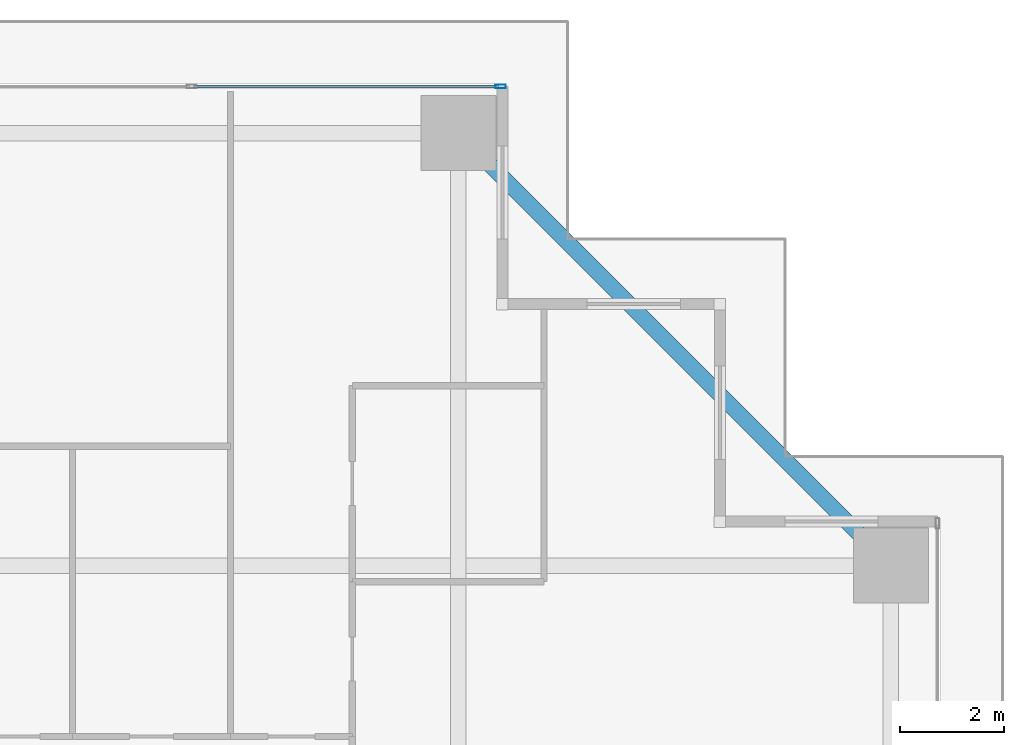
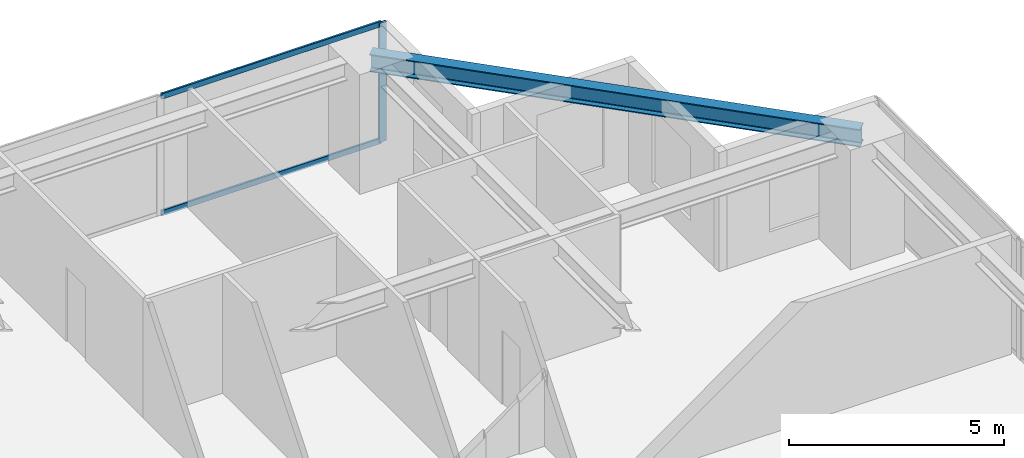
# One storey, part 25 of 40: 3 members, 1 beam, 1 element without a shape of its own.
"""IFC4 building model written with IfcOpenShell, lengths in metres."""

import ifcopenshell
import ifcopenshell.guid

model = None  # the IFC model being written
_history = None  # IfcOwnerHistory: only IFC2X3 demands one
_inside = {}  # id of a spatial element -> (the spatial element, [elements in it])
_under = {}  # id of a project, library or spatial element -> (it, [spatial elements below it])
_declared = {}  # id of a project -> (the project, [libraries it declares])
_typed = {}  # id of a type object -> (the type object, [elements of that type])
_made_of = {}  # id of a material, layer set ... -> (it, [elements and type objects made of it])


def new_model(schema):
    """Start an empty IFC model of exactly this schema.

    Asked for "IFC4X3", IfcOpenShell would pick the latest addendum, in which some entities
    have other attributes; the version numbers below select the first issue.
    IFC2X3 requires an IfcOwnerHistory on every rooted entity: one is made here for all.
    """
    global model, _history
    if schema == "IFC4X3":
        model = ifcopenshell.file(schema_version=(4, 3, 0, 0))
    else:
        model = ifcopenshell.file(schema=schema)
    _inside.clear()
    _under.clear()
    _declared.clear()
    _typed.clear()
    _made_of.clear()
    _history = None
    if model.schema == "IFC2X3":
        org = make("IfcOrganization", Name="unknown")
        user = make(
            "IfcPersonAndOrganization",
            ThePerson=make("IfcPerson", FamilyName="unknown"),
            TheOrganization=org,
        )
        app = make(
            "IfcApplication",
            ApplicationDeveloper=org,
            Version="unknown",
            ApplicationFullName="unknown",
            ApplicationIdentifier="unknown",
        )
        _history = make(
            "IfcOwnerHistory",
            OwningUser=user,
            OwningApplication=app,
            ChangeAction="ADDED",
            CreationDate=0,
        )
    return model


def make(cls, **values):
    """One entity of the class cls with the attributes given. An attribute that is None is left unset."""
    return model.create_entity(
        cls, **{name: value for name, value in values.items() if value is not None}
    )


def rooted(cls, **values):
    """An entity with a GlobalId (a new one), such as an element, a storey or a relation."""
    return make(cls, GlobalId=ifcopenshell.guid.new(), OwnerHistory=_history, **values)


def si_unit(unit_type, name, prefix=None):
    """IfcSIUnit, for example si_unit("LENGTHUNIT", "METRE", prefix="MILLI")."""
    return make("IfcSIUnit", UnitType=unit_type, Prefix=prefix, Name=name)


def assignment(units):
    """IfcUnitAssignment: the units of a project."""
    return None if units is None else make("IfcUnitAssignment", Units=units)


def point(xyz):
    """IfcCartesianPoint."""
    return None if xyz is None else make("IfcCartesianPoint", Coordinates=xyz)


def direction(xyz):
    """IfcDirection."""
    return None if xyz is None else make("IfcDirection", DirectionRatios=xyz)


def frame(location, z_axis=None, x_axis=None):
    """IfcAxis2Placement3D, a coordinate frame: its origin and axes. An axis left out is left unset."""
    return make(
        "IfcAxis2Placement3D",
        Location=point(location),
        Axis=direction(z_axis),
        RefDirection=direction(x_axis),
    )


def frame_2d(location, x_axis=None):
    """IfcAxis2Placement2D, a coordinate frame in the plane: its origin and x axis."""
    return make(
        "IfcAxis2Placement2D", Location=point(location), RefDirection=direction(x_axis)
    )


def origin():
    """The frame at (0, 0, 0) with its axes left unset."""
    return frame((0.0, 0.0, 0.0))


def origin_2d():
    """The frame at (0, 0) in the plane with its x axis left unset."""
    return frame_2d((0.0, 0.0))


def place(relative_to, where):
    """IfcLocalPlacement: puts the frame where relative to a parent placement (None: the world)."""
    return make(
        "IfcLocalPlacement", PlacementRelTo=relative_to, RelativePlacement=where
    )


def context(
    kind, dimensions, precision=None, world=None, true_north=None, identifier=None
):
    """IfcGeometricRepresentationContext, for example the 3D "Model" context."""
    return make(
        "IfcGeometricRepresentationContext",
        ContextIdentifier=identifier,
        ContextType=kind,
        CoordinateSpaceDimension=dimensions,
        Precision=precision,
        WorldCoordinateSystem=world,
        TrueNorth=true_north,
    )


def subcontext(parent, identifier, kind, view, scale=None):
    """IfcGeometricRepresentationSubContext, for example "Body" below "Model"."""
    return make(
        "IfcGeometricRepresentationSubContext",
        ContextIdentifier=identifier,
        ContextType=kind,
        ParentContext=parent,
        TargetScale=scale,
        TargetView=view,
    )


def project(units=None, contexts=None):
    """IfcProject with its units and contexts."""
    return rooted(
        "IfcProject",
        Name="project",
        RepresentationContexts=contexts,
        UnitsInContext=assignment(units),
    )


def spatial(cls, under=None, at=None, **own):
    """A site, building, storey or space (cls), placed at a placement, below another one or the project."""
    s = rooted(cls, ObjectPlacement=at, **own)
    if under is not None:
        _under.setdefault(under.id(), (under, []))[1].append(s)
    return s


def profile(cls, at=None, kind="AREA", **sizes):
    """A parametric profile (cls). Its sizes go by their IFC names, for example OverallWidth=200.0."""
    return make(cls, ProfileType=kind, Position=at, **sizes)


def hollow_rectangle(**sizes):
    """IfcRectangleHollowProfileDef."""
    return profile("IfcRectangleHollowProfileDef", **sizes)


def i_section(**sizes):
    """IfcIShapeProfileDef."""
    return profile("IfcIShapeProfileDef", **sizes)


def extrude(swept, where, along, depth):
    """IfcExtrudedAreaSolid: the profile swept, set in the frame where, extruded along a direction by depth."""
    return make(
        "IfcExtrudedAreaSolid",
        SweptArea=swept,
        Position=where,
        ExtrudedDirection=direction(along),
        Depth=depth,
    )


def shape(context_of_items, identifier, shape_type, items):
    """IfcShapeRepresentation: the items that make up one representation, for example the "Body"."""
    return make(
        "IfcShapeRepresentation",
        ContextOfItems=context_of_items,
        RepresentationIdentifier=identifier,
        RepresentationType=shape_type,
        Items=items,
    )


def source(mapping_origin, context_of_items, identifier, shape_type, items):
    """IfcRepresentationMap: a shape defined once, which mapped items show again and again."""
    return make(
        "IfcRepresentationMap",
        MappingOrigin=mapping_origin,
        MappedRepresentation=shape(context_of_items, identifier, shape_type, items),
    )


def transform(
    local_origin,
    x_axis=None,
    y_axis=None,
    z_axis=None,
    scale=None,
    scale2=None,
    scale3=None,
    uniform=True,
):
    """IfcCartesianTransformationOperator3D, or its non-uniform kind. x_axis, y_axis, z_axis: its Axis1, 2, 3."""
    if uniform:
        return make(
            "IfcCartesianTransformationOperator3D",
            Axis1=direction(x_axis),
            Axis2=direction(y_axis),
            LocalOrigin=point(local_origin),
            Scale=scale,
            Axis3=direction(z_axis),
        )
    return make(
        "IfcCartesianTransformationOperator3DnonUniform",
        Axis1=direction(x_axis),
        Axis2=direction(y_axis),
        LocalOrigin=point(local_origin),
        Scale=scale,
        Axis3=direction(z_axis),
        Scale2=scale2,
        Scale3=scale3,
    )


def mapped(mapping_source, mapping_target):
    """IfcMappedItem: shows the shape of a source again, moved by a transform."""
    return make(
        "IfcMappedItem", MappingSource=mapping_source, MappingTarget=mapping_target
    )


def material(Name=None, Category=None):
    """IfcMaterial."""
    return make("IfcMaterial", Name=Name, Category=Category)


def layer(
    of_material, thickness, ventilated=None, Name=None, Category=None, Priority=None
):
    """IfcMaterialLayer: one layer of a wall or slab, of a material (None: an air gap)."""
    return make(
        "IfcMaterialLayer",
        Material=of_material,
        LayerThickness=thickness,
        IsVentilated=ventilated,
        Name=Name,
        Category=Category,
        Priority=Priority,
    )


def layer_set(layers, Name=None):
    """IfcMaterialLayerSet."""
    return make("IfcMaterialLayerSet", MaterialLayers=layers, LayerSetName=Name)


def material_profile(
    of_material, cross_section, Name=None, Category=None, Priority=None
):
    """IfcMaterialProfile: a cross section and its material."""
    return make(
        "IfcMaterialProfile",
        Name=Name,
        Material=of_material,
        Profile=cross_section,
        Priority=Priority,
        Category=Category,
    )


def profile_set(profiles, Name=None, composite=None):
    """IfcMaterialProfileSet."""
    return make(
        "IfcMaterialProfileSet",
        Name=Name,
        MaterialProfiles=profiles,
        CompositeProfile=composite,
    )


def made_of(thing, what):
    """Note that an element or type object is made of a material, layer set ...; save() writes the relation."""
    if what is not None:
        _made_of.setdefault(what.id(), (what, []))[1].append(thing)
    return thing


def type_object(cls, material=None, **own):
    """A type object (cls), such as IfcWallType, which elements share."""
    return made_of(rooted(cls, **own), material)


def element(
    cls,
    number,
    at=None,
    inside=None,
    cuts=None,
    type_object=None,
    material=None,
    context=None,
    identifier="Body",
    shape_type=None,
    held_by="IfcProductDefinitionShape",
    body=None,
    shapes=None,
    **own,
):
    """One element of the class cls, such as IfcWall. Its Tag is "e" and its number.

    at: its placement. inside: the storey or other place that contains it. cuts: it is an
    opening in that element (IfcRelVoidsElement). A single representation is given by context,
    identifier, shape_type and body (its items); several are given by shapes. held_by: the class
    of the entity that holds the representations. save() writes the other relations.
    """
    e = rooted(cls, Tag="e%d" % number, ObjectPlacement=at, **own)
    if body is not None:
        shapes = [shape(context, identifier, shape_type, body)]
    if shapes is not None:
        e.Representation = make(held_by, Representations=shapes)
    if inside is not None:
        _inside.setdefault(inside.id(), (inside, []))[1].append(e)
    if cuts is not None:
        rooted(
            "IfcRelVoidsElement", RelatingBuildingElement=cuts, RelatedOpeningElement=e
        )
    if type_object is not None:
        _typed.setdefault(type_object.id(), (type_object, []))[1].append(e)
    return made_of(e, material)


def aggregate(whole, parts):
    """IfcRelAggregates: a whole, such as a stair, and the parts it consists of."""
    return rooted("IfcRelAggregates", RelatingObject=whole, RelatedObjects=parts)


def save(model, path):
    """Write the relations noted so far, then the file.

    IfcRelAggregates (storeys below a building ...), IfcRelContainedInSpatialStructure (elements
    in a storey), IfcRelDefinesByType, IfcRelAssociatesMaterial and IfcRelDeclares: one each for
    every whole, place, type object, material and project.
    """
    for whole, parts in _under.values():
        aggregate(whole, parts)
    for where, things in _inside.values():
        rooted(
            "IfcRelContainedInSpatialStructure",
            RelatedElements=things,
            RelatingStructure=where,
        )
    for kind, things in _typed.values():
        rooted("IfcRelDefinesByType", RelatedObjects=things, RelatingType=kind)
    for what, things in _made_of.values():
        rooted("IfcRelAssociatesMaterial", RelatedObjects=things, RelatingMaterial=what)
    for by, libraries in _declared.values():
        rooted("IfcRelDeclares", RelatingContext=by, RelatedDefinitions=libraries)
    model.write(path)


model = new_model("IFC4")

# Units and contexts
model_context = context("Model", 3, precision=1e-05, world=origin(), true_north=direction((0.0, 1.0)))
body_context = subcontext(model_context, "Body", "Model", "MODEL_VIEW")
ifc_project = project(units=[si_unit("LENGTHUNIT", "METRE"), si_unit("AREAUNIT", "SQUARE_METRE"), si_unit("VOLUMEUNIT", "CUBIC_METRE"), si_unit("PLANEANGLEUNIT", "RADIAN"), si_unit("MASSUNIT", "GRAM", prefix="KILO")], contexts=[model_context])

# Site, building, storey
site_placement = place(None, origin())
site = spatial("IfcSite", under=ifc_project, at=site_placement, CompositionType="ELEMENT")
building_placement = place(site_placement, origin())
building = spatial("IfcBuilding", under=site, at=building_placement, Name="Serunith Strait Residences", CompositionType="ELEMENT")
storey_placement = place(building_placement, frame((0.0, 0.0, 105.449951171875)))
storey = spatial("IfcBuildingStorey", under=building, at=storey_placement, Name="L26", CompositionType="ELEMENT", Elevation=105.449951171875)

# Beam
ifc_material_1 = material(Name="Steel S355J2", Category="steel")
ifc_material_profile_1 = material_profile(ifc_material_1, i_section(OverallWidth=0.300048828125, OverallDepth=0.5, WebThickness=0.014404296875, FlangeThickness=0.028076171875, FilletRadius=0.027099609375, at=origin_2d()), Name="HEB 500")
ifc_profile_set_1 = profile_set([ifc_material_profile_1], Name="Steel S355J2")
beam_type = type_object("IfcBeamType", Name="BM-HEB500", PredefinedType="BEAM", material=ifc_profile_set_1)
shared_shape_1 = source(origin(), body_context, "Body", "SweptSolid", [
    extrude(i_section(OverallWidth=0.300048828125, OverallDepth=0.5, WebThickness=0.014404296875, FlangeThickness=0.028076171875, FilletRadius=0.027099609375, at=origin_2d()), origin(), (0.0, 0.0, 1.0), 11.80859375),
])
beam_placement = place(storey_placement, frame((57.89990234375, 40.949951171875, 3.136962890625), z_axis=(-0.707096443746, 0.707117118476, 0.0), x_axis=(-0.707117118476, -0.707096443746, 0.0)))
element("IfcBeam", 1, at=beam_placement, inside=storey, type_object=beam_type, Name="L26 Perimeter Ring Beam 08", PredefinedType="BEAM", context=body_context, shape_type="MappedRepresentation", body=[
    mapped(shared_shape_1, transform((0.0, 0.0, 0.0), scale=1.0)),
])

# Curtain wall, members
ifc_material_2 = material(Name="Pale-Champagne Anodised Aluminium", Category="aluminium")
ifc_layer = layer(ifc_material_2, 0.199951171875, Name="Pale-Champagne Anodised Aluminium")
ifc_layer_set = layer_set([ifc_layer], Name="Pale-Champagne Anodised Aluminium")
curtain_wall_type = type_object("IfcCurtainWallType", Name="CW-SYS1", PredefinedType="NOTDEFINED", material=ifc_layer_set)
curtain_wall_placement = place(storey_placement, origin())
curtain_wall = element("IfcCurtainWall", 2, at=curtain_wall_placement, inside=storey, type_object=curtain_wall_type, Name="L26 N Unitised Fritted Curtain Wall", PredefinedType="NOTDEFINED")
ifc_material_profile_2 = material_profile(ifc_material_2, hollow_rectangle(XDim=0.06005859375, YDim=0.159912109375, WallThickness=0.00341796875, InnerFilletRadius=0.00537109375, OuterFilletRadius=0.0087890625, at=origin_2d()), Name="ALU 160x60x3.5")
ifc_profile_set_2 = profile_set([ifc_material_profile_2], Name="Pale-Champagne Anodised Aluminium")
member_type_1 = type_object("IfcMemberType", Name="CW-SYS1-TRAN", PredefinedType="USERDEFINED", material=ifc_profile_set_2)
shared_shape_2 = source(origin(), body_context, "Body", "SweptSolid", [
    extrude(hollow_rectangle(XDim=0.06005859375, YDim=0.159912109375, WallThickness=0.00341796875, InnerFilletRadius=0.00537109375, OuterFilletRadius=0.0087890625, at=origin_2d()), origin(), (0.0, 0.0, 1.0), 5.89501953125),
])
member_1_placement = place(storey_placement, frame((50.330078125, 50.199951171875, 0.030029296875), z_axis=(-1.0, 0.0, 0.0), x_axis=(0.0, -1.0, 0.0)))
member_1 = element("IfcMember", 3, at=member_1_placement, type_object=member_type_1, Name="CW-1 transom 1.1", ObjectType="TRANSOM", PredefinedType="USERDEFINED", context=body_context, shape_type="MappedRepresentation", body=[
    mapped(shared_shape_2, transform((0.0, 0.0, 0.0), scale=1.0)),
])
member_2_placement = place(storey_placement, frame((50.330078125, 50.199951171875, 3.344970703125), z_axis=(-1.0, 0.0, 0.0), x_axis=(0.0, -1.0, 0.0)))
member_2 = element("IfcMember", 4, at=member_2_placement, type_object=member_type_1, Name="CW-1 transom 1.2", ObjectType="TRANSOM", PredefinedType="USERDEFINED", context=body_context, shape_type="MappedRepresentation", body=[
    mapped(shared_shape_2, transform((0.0, 0.0, 0.0), scale=1.0)),
])
ifc_material_profile_3 = material_profile(ifc_material_2, hollow_rectangle(XDim=0.070068359375, YDim=0.199951171875, WallThickness=0.00390625, InnerFilletRadius=0.006103515625, OuterFilletRadius=0.010009765625, at=origin_2d()), Name="ALU 200x70x4")
ifc_profile_set_3 = profile_set([ifc_material_profile_3], Name="Pale-Champagne Anodised Aluminium")
member_type_2 = type_object("IfcMemberType", Name="CW-SYS1-MULL", PredefinedType="MULLION", material=ifc_profile_set_3)
shared_shape_3 = source(origin(), body_context, "Body", "SweptSolid", [
    extrude(hollow_rectangle(XDim=0.070068359375, YDim=0.199951171875, WallThickness=0.00390625, InnerFilletRadius=0.006103515625, OuterFilletRadius=0.010009765625, at=origin_2d()), origin(), (0.0, 0.0, 1.0), 3.375),
])
member_3_placement = place(storey_placement, frame((50.364990234375, 50.199951171875, 0.0), z_axis=(0.0, 0.0, 1.0), x_axis=(0.0, -1.0, 0.0)))
member_3 = element("IfcMember", 5, at=member_3_placement, type_object=member_type_2, Name="CW-1 mullion 1", PredefinedType="MULLION", context=body_context, shape_type="MappedRepresentation", body=[
    mapped(shared_shape_3, transform((0.0, 0.0, 0.0), scale=1.0)),
])
aggregate(curtain_wall, [member_3, member_1, member_2])

save(model, "model.ifc")
